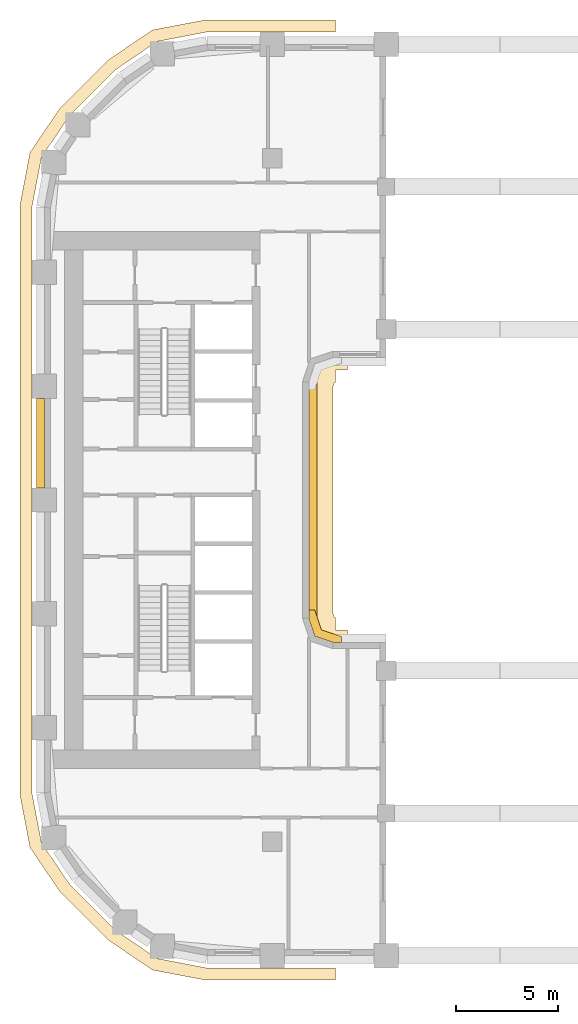
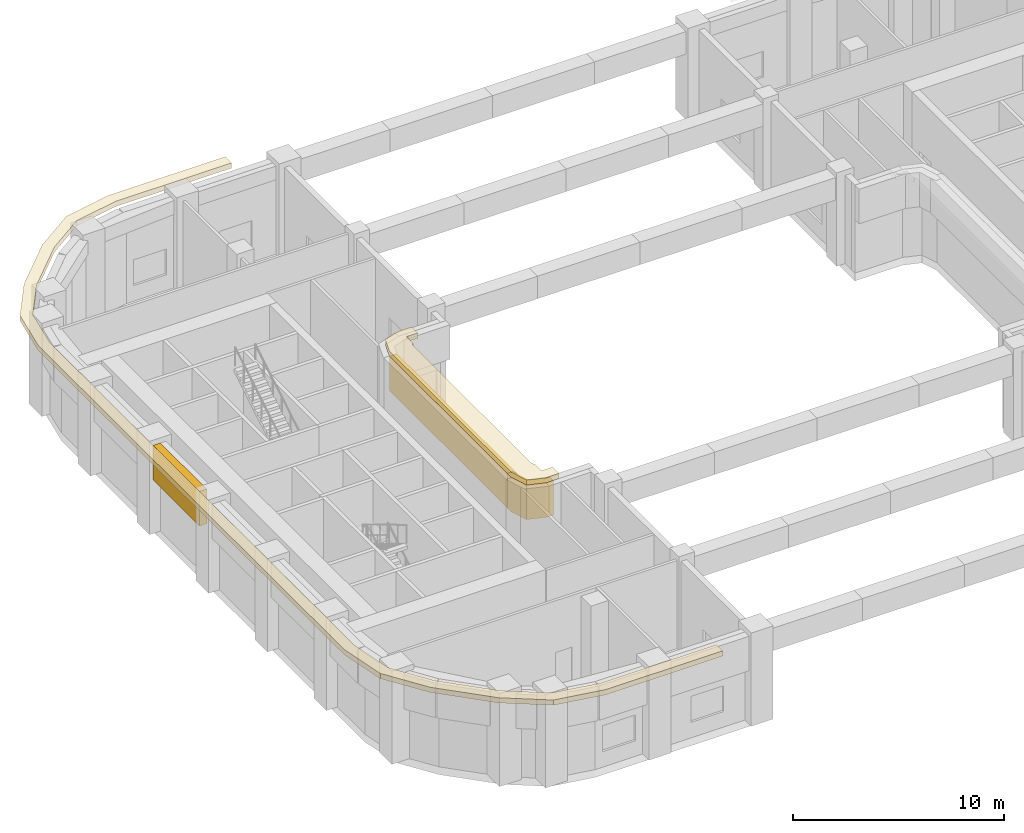
# One storey, part 9 of 14: 5 coverings.
"""IFC4 building model written with IfcOpenShell, lengths in metres."""

from ifc_helpers import new_model, si_unit, direction, frame, origin, origin_2d, place, context, subcontext, project, spatial, polyline, rectangle, outline, extrude, material, layer, layer_set, type_object, element, save


model = new_model("IFC4")

# Units and contexts
model_context = context("Model", 3, precision=1e-05, world=origin(), true_north=direction((0.0, 1.0)))
body_context = subcontext(model_context, "Body", "Model", "MODEL_VIEW")
ifc_project = project(units=[si_unit("LENGTHUNIT", "METRE"), si_unit("AREAUNIT", "SQUARE_METRE"), si_unit("VOLUMEUNIT", "CUBIC_METRE"), si_unit("PLANEANGLEUNIT", "RADIAN"), si_unit("MASSUNIT", "GRAM", prefix="KILO")], contexts=[model_context])

# Site, building, storey
site_placement = place(None, origin())
site = spatial("IfcSite", under=ifc_project, at=site_placement, CompositionType="ELEMENT")
building_placement = place(site_placement, origin())
building = spatial("IfcBuilding", under=site, at=building_placement, Name="Kiln Ring Residences", CompositionType="ELEMENT")
storey_placement = place(building_placement, frame((0.0, 0.0, 130.699951171875)))
storey = spatial("IfcBuildingStorey", under=building, at=storey_placement, Name="L33", CompositionType="ELEMENT", Elevation=130.699951171875)

# Coverings
ifc_material_1 = material(Name="Black powder-coated steel", Category="steel")
ifc_layer = layer(ifc_material_1, 0.300048828125)
ifc_layer_set = layer_set([ifc_layer], Name="SUNSHADE FIN 600")
covering_type_1 = type_object("IfcCoveringType", Name="SUNSHADE FIN 600", PredefinedType="CLADDING", material=ifc_layer_set)
placement = place(storey_placement, frame((0.0, 0.0, 5.10009765625)))
element("IfcCovering", 1, at=placement, inside=storey, type_object=covering_type_1, Name="SUNSHADE FIN L33", PredefinedType="CLADDING", context=body_context, shape_type="SweptSolid", body=[
    extrude(outline(polyline([(-28.7080078125, 17.09326171875), (-29.199951171875, 14.513427734375), (-29.199951171875, -14.513427734375), (-28.7080078125, -17.09326171875), (-27.231689453125, -19.265380859375), (-24.865478515625, -21.631591796875), (-22.693115234375, -23.10791015625), (-20.11328125, -23.60009765625), (-13.699951171875, -23.60009765625), (-13.699951171875, -23.0), (-20.056640625, -23.0), (-22.458740234375, -22.541748046875), (-24.481201171875, -21.167236328125), (-26.767333984375, -18.881103515625), (-28.141845703125, -16.858642578125), (-28.60009765625, -14.456787109375), (-28.60009765625, 14.456787109375), (-28.141845703125, 16.858642578125), (-26.767333984375, 18.881103515625), (-24.481201171875, 21.167236328125), (-22.458740234375, 22.541748046875), (-20.056640625, 23.0), (-13.699951171875, 23.0), (-13.699951171875, 23.60009765625), (-20.11328125, 23.60009765625), (-22.693115234375, 23.10791015625), (-24.865478515625, 21.631591796875), (-27.231689453125, 19.265380859375), (-28.7080078125, 17.09326171875)])), origin(), (0.0, 0.0, 1.0), 0.300048828125),
])
element("IfcCovering", 2, at=placement, inside=storey, type_object=covering_type_1, Name="SUNSHADE FIN L33", PredefinedType="CLADDING", context=body_context, shape_type="SweptSolid", body=[
    extrude(outline(polyline([(-13.699951171875, 5.768310546875), (-13.699951171875, 6.39990234375), (-13.090087890625, 6.39990234375), (-13.090087890625, 7.0), (-13.800048828125, 7.0), (-14.699951171875, 6.699951171875), (-15.0, 5.800048828125), (-15.0, -5.800048828125), (-14.699951171875, -6.699951171875), (-13.800048828125, -7.0), (-13.090087890625, -7.0), (-13.090087890625, -6.39990234375), (-13.699951171875, -6.39990234375), (-13.699951171875, -5.768310546875), (-13.751220703125, -5.751220703125), (-13.800048828125, -5.605224609375), (-13.800048828125, 5.605224609375), (-13.751220703125, 5.751220703125), (-13.699951171875, 5.768310546875)])), origin(), (0.0, 0.0, 1.0), 0.300048828125),
])
ifc_material_2 = material(Name="Concrete C35/45, exposed aggregate finish", Category="concrete")
covering_type_2 = type_object("IfcCoveringType", Name="TIE BAND 2000 x 400", PredefinedType="CLADDING", material=ifc_material_2)
covering_3_placement = place(storey_placement, frame((-14.800048828125, 0.0, 3.10009765625), z_axis=(0.0, 0.0, 1.0), x_axis=(0.0, 1.0, 0.0)))
element("IfcCovering", 3, at=covering_3_placement, inside=storey, type_object=covering_type_2, Name="TIE BAND L33", PredefinedType="CLADDING", context=body_context, shape_type="SweptSolid", body=[
    extrude(rectangle(XDim=11.60009765625, YDim=0.39990234375, at=origin_2d()), origin(), (0.0, 0.0, 1.0), 2.0),
])
covering_4_placement = place(storey_placement, frame((-28.199951171875, 2.800048828125, 3.10009765625), z_axis=(0.0, 0.0, 1.0), x_axis=(0.0, -1.0, 0.0)))
element("IfcCovering", 4, at=covering_4_placement, inside=storey, type_object=covering_type_2, Name="TIE BAND L33", PredefinedType="CLADDING", context=body_context, shape_type="SweptSolid", body=[
    extrude(rectangle(XDim=4.39990234375, YDim=0.39990234375, at=origin_2d()), origin(), (0.0, 0.0, 1.0), 2.0),
])
covering_5_placement = place(storey_placement, frame((0.0, 0.0, 3.10009765625)))
element("IfcCovering", 5, at=covering_5_placement, inside=storey, type_object=covering_type_2, Name="TIE BAND L33", PredefinedType="CLADDING", context=body_context, shape_type="SweptSolid", body=[
    extrude(outline(polyline([(-13.800048828125, -7.0), (-13.39990234375, -7.0), (-13.39990234375, -6.711669921875), (-14.3837890625, -6.3837890625), (-14.711669921875, -5.39990234375), (-15.0, -5.39990234375), (-15.0, -5.800048828125), (-14.699951171875, -6.699951171875), (-13.800048828125, -7.0)])), origin(), (0.0, 0.0, 1.0), 2.0),
])

save(model, "model.ifc")
